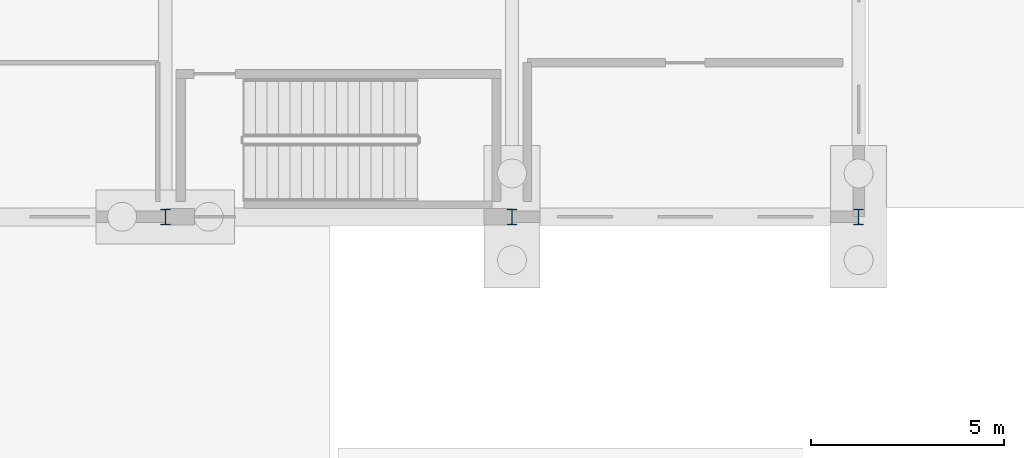
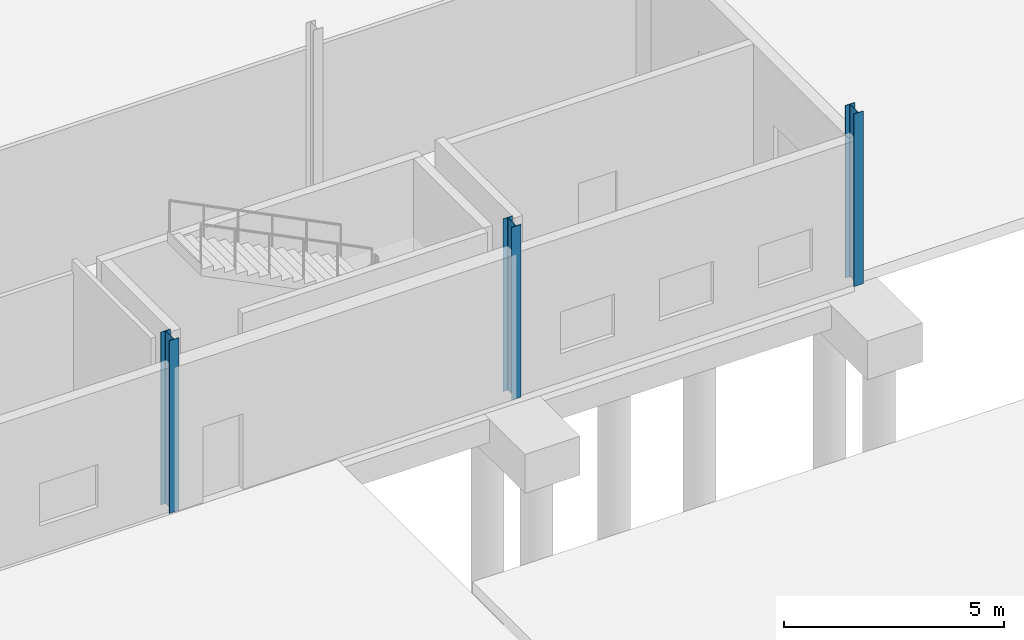
# One storey, part 35 of 112: 3 columns.
"""IFC4 building model written with IfcOpenShell, lengths in metres."""

import ifcopenshell
import ifcopenshell.guid

model = None  # the IFC model being written
_history = None  # IfcOwnerHistory: only IFC2X3 demands one
_inside = {}  # id of a spatial element -> (the spatial element, [elements in it])
_under = {}  # id of a project, library or spatial element -> (it, [spatial elements below it])
_declared = {}  # id of a project -> (the project, [libraries it declares])
_typed = {}  # id of a type object -> (the type object, [elements of that type])
_made_of = {}  # id of a material, layer set ... -> (it, [elements and type objects made of it])


def new_model(schema):
    """Start an empty IFC model of exactly this schema.

    Asked for "IFC4X3", IfcOpenShell would pick the latest addendum, in which some entities
    have other attributes; the version numbers below select the first issue.
    IFC2X3 requires an IfcOwnerHistory on every rooted entity: one is made here for all.
    """
    global model, _history
    if schema == "IFC4X3":
        model = ifcopenshell.file(schema_version=(4, 3, 0, 0))
    else:
        model = ifcopenshell.file(schema=schema)
    _inside.clear()
    _under.clear()
    _declared.clear()
    _typed.clear()
    _made_of.clear()
    _history = None
    if model.schema == "IFC2X3":
        org = make("IfcOrganization", Name="unknown")
        user = make(
            "IfcPersonAndOrganization",
            ThePerson=make("IfcPerson", FamilyName="unknown"),
            TheOrganization=org,
        )
        app = make(
            "IfcApplication",
            ApplicationDeveloper=org,
            Version="unknown",
            ApplicationFullName="unknown",
            ApplicationIdentifier="unknown",
        )
        _history = make(
            "IfcOwnerHistory",
            OwningUser=user,
            OwningApplication=app,
            ChangeAction="ADDED",
            CreationDate=0,
        )
    return model


def make(cls, **values):
    """One entity of the class cls with the attributes given. An attribute that is None is left unset."""
    return model.create_entity(
        cls, **{name: value for name, value in values.items() if value is not None}
    )


def rooted(cls, **values):
    """An entity with a GlobalId (a new one), such as an element, a storey or a relation."""
    return make(cls, GlobalId=ifcopenshell.guid.new(), OwnerHistory=_history, **values)


def si_unit(unit_type, name, prefix=None):
    """IfcSIUnit, for example si_unit("LENGTHUNIT", "METRE", prefix="MILLI")."""
    return make("IfcSIUnit", UnitType=unit_type, Prefix=prefix, Name=name)


def assignment(units):
    """IfcUnitAssignment: the units of a project."""
    return None if units is None else make("IfcUnitAssignment", Units=units)


def point(xyz):
    """IfcCartesianPoint."""
    return None if xyz is None else make("IfcCartesianPoint", Coordinates=xyz)


def direction(xyz):
    """IfcDirection."""
    return None if xyz is None else make("IfcDirection", DirectionRatios=xyz)


def frame(location, z_axis=None, x_axis=None):
    """IfcAxis2Placement3D, a coordinate frame: its origin and axes. An axis left out is left unset."""
    return make(
        "IfcAxis2Placement3D",
        Location=point(location),
        Axis=direction(z_axis),
        RefDirection=direction(x_axis),
    )


def frame_2d(location, x_axis=None):
    """IfcAxis2Placement2D, a coordinate frame in the plane: its origin and x axis."""
    return make(
        "IfcAxis2Placement2D", Location=point(location), RefDirection=direction(x_axis)
    )


def origin():
    """The frame at (0, 0, 0) with its axes left unset."""
    return frame((0.0, 0.0, 0.0))


def origin_2d():
    """The frame at (0, 0) in the plane with its x axis left unset."""
    return frame_2d((0.0, 0.0))


def place(relative_to, where):
    """IfcLocalPlacement: puts the frame where relative to a parent placement (None: the world)."""
    return make(
        "IfcLocalPlacement", PlacementRelTo=relative_to, RelativePlacement=where
    )


def context(
    kind, dimensions, precision=None, world=None, true_north=None, identifier=None
):
    """IfcGeometricRepresentationContext, for example the 3D "Model" context."""
    return make(
        "IfcGeometricRepresentationContext",
        ContextIdentifier=identifier,
        ContextType=kind,
        CoordinateSpaceDimension=dimensions,
        Precision=precision,
        WorldCoordinateSystem=world,
        TrueNorth=true_north,
    )


def subcontext(parent, identifier, kind, view, scale=None):
    """IfcGeometricRepresentationSubContext, for example "Body" below "Model"."""
    return make(
        "IfcGeometricRepresentationSubContext",
        ContextIdentifier=identifier,
        ContextType=kind,
        ParentContext=parent,
        TargetScale=scale,
        TargetView=view,
    )


def project(units=None, contexts=None):
    """IfcProject with its units and contexts."""
    return rooted(
        "IfcProject",
        Name="project",
        RepresentationContexts=contexts,
        UnitsInContext=assignment(units),
    )


def spatial(cls, under=None, at=None, **own):
    """A site, building, storey or space (cls), placed at a placement, below another one or the project."""
    s = rooted(cls, ObjectPlacement=at, **own)
    if under is not None:
        _under.setdefault(under.id(), (under, []))[1].append(s)
    return s


def profile(cls, at=None, kind="AREA", **sizes):
    """A parametric profile (cls). Its sizes go by their IFC names, for example OverallWidth=200.0."""
    return make(cls, ProfileType=kind, Position=at, **sizes)


def i_section(**sizes):
    """IfcIShapeProfileDef."""
    return profile("IfcIShapeProfileDef", **sizes)


def extrude(swept, where, along, depth):
    """IfcExtrudedAreaSolid: the profile swept, set in the frame where, extruded along a direction by depth."""
    return make(
        "IfcExtrudedAreaSolid",
        SweptArea=swept,
        Position=where,
        ExtrudedDirection=direction(along),
        Depth=depth,
    )


def shape(context_of_items, identifier, shape_type, items):
    """IfcShapeRepresentation: the items that make up one representation, for example the "Body"."""
    return make(
        "IfcShapeRepresentation",
        ContextOfItems=context_of_items,
        RepresentationIdentifier=identifier,
        RepresentationType=shape_type,
        Items=items,
    )


def material(Name=None, Category=None):
    """IfcMaterial."""
    return make("IfcMaterial", Name=Name, Category=Category)


def material_profile(
    of_material, cross_section, Name=None, Category=None, Priority=None
):
    """IfcMaterialProfile: a cross section and its material."""
    return make(
        "IfcMaterialProfile",
        Name=Name,
        Material=of_material,
        Profile=cross_section,
        Priority=Priority,
        Category=Category,
    )


def profile_set(profiles, Name=None, composite=None):
    """IfcMaterialProfileSet."""
    return make(
        "IfcMaterialProfileSet",
        Name=Name,
        MaterialProfiles=profiles,
        CompositeProfile=composite,
    )


def made_of(thing, what):
    """Note that an element or type object is made of a material, layer set ...; save() writes the relation."""
    if what is not None:
        _made_of.setdefault(what.id(), (what, []))[1].append(thing)
    return thing


def type_object(cls, material=None, **own):
    """A type object (cls), such as IfcWallType, which elements share."""
    return made_of(rooted(cls, **own), material)


def element(
    cls,
    number,
    at=None,
    inside=None,
    cuts=None,
    type_object=None,
    material=None,
    context=None,
    identifier="Body",
    shape_type=None,
    held_by="IfcProductDefinitionShape",
    body=None,
    shapes=None,
    **own,
):
    """One element of the class cls, such as IfcWall. Its Tag is "e" and its number.

    at: its placement. inside: the storey or other place that contains it. cuts: it is an
    opening in that element (IfcRelVoidsElement). A single representation is given by context,
    identifier, shape_type and body (its items); several are given by shapes. held_by: the class
    of the entity that holds the representations. save() writes the other relations.
    """
    e = rooted(cls, Tag="e%d" % number, ObjectPlacement=at, **own)
    if body is not None:
        shapes = [shape(context, identifier, shape_type, body)]
    if shapes is not None:
        e.Representation = make(held_by, Representations=shapes)
    if inside is not None:
        _inside.setdefault(inside.id(), (inside, []))[1].append(e)
    if cuts is not None:
        rooted(
            "IfcRelVoidsElement", RelatingBuildingElement=cuts, RelatedOpeningElement=e
        )
    if type_object is not None:
        _typed.setdefault(type_object.id(), (type_object, []))[1].append(e)
    return made_of(e, material)


def aggregate(whole, parts):
    """IfcRelAggregates: a whole, such as a stair, and the parts it consists of."""
    return rooted("IfcRelAggregates", RelatingObject=whole, RelatedObjects=parts)


def save(model, path):
    """Write the relations noted so far, then the file.

    IfcRelAggregates (storeys below a building ...), IfcRelContainedInSpatialStructure (elements
    in a storey), IfcRelDefinesByType, IfcRelAssociatesMaterial and IfcRelDeclares: one each for
    every whole, place, type object, material and project.
    """
    for whole, parts in _under.values():
        aggregate(whole, parts)
    for where, things in _inside.values():
        rooted(
            "IfcRelContainedInSpatialStructure",
            RelatedElements=things,
            RelatingStructure=where,
        )
    for kind, things in _typed.values():
        rooted("IfcRelDefinesByType", RelatedObjects=things, RelatingType=kind)
    for what, things in _made_of.values():
        rooted("IfcRelAssociatesMaterial", RelatedObjects=things, RelatingMaterial=what)
    for by, libraries in _declared.values():
        rooted("IfcRelDeclares", RelatingContext=by, RelatedDefinitions=libraries)
    model.write(path)


model = new_model("IFC4")

# Units and contexts
model_context = context("Model", 3, precision=1e-05, world=origin(), true_north=direction((0.0, 1.0)))
body_context = subcontext(model_context, "Body", "Model", "MODEL_VIEW")
ifc_project = project(units=[si_unit("LENGTHUNIT", "METRE"), si_unit("AREAUNIT", "SQUARE_METRE"), si_unit("VOLUMEUNIT", "CUBIC_METRE"), si_unit("PLANEANGLEUNIT", "RADIAN"), si_unit("MASSUNIT", "GRAM", prefix="KILO")], contexts=[model_context])

# Site, building, storey
site_placement = place(None, origin())
site = spatial("IfcSite", under=ifc_project, at=site_placement, CompositionType="ELEMENT")
building_placement = place(site_placement, origin())
building = spatial("IfcBuilding", under=site, at=building_placement, Name="Tharagai Park Tramway Depot", CompositionType="ELEMENT")
storey_placement = place(building_placement, origin())
storey = spatial("IfcBuildingStorey", under=building, at=storey_placement, Name="L00", CompositionType="ELEMENT", Elevation=0.0)

# Columns
ifc_material = material(Name="Steel E350", Category="steel")
ifc_material_profile = material_profile(ifc_material, i_section(OverallWidth=0.25, OverallDepth=0.39990234375, WebThickness=0.010498046875, FlangeThickness=0.0126953125, FilletRadius=0.013916015625, at=origin_2d()), Name="ISHB 400")
ifc_profile_set = profile_set([ifc_material_profile], Name="Steel E350")
column_type = type_object("IfcColumnType", Name="CL-06", PredefinedType="COLUMN", material=ifc_profile_set)
for number, where, z_axis, x_axis, name in (
    (1, (126.0, 90.0, 0.0), (0.0, 0.0, 1.0), (1.0, 0.0, 0.0), "L00 Structural Column CL-06 (126,90)"),
    (2, (135.0, 90.0, 0.0), (0.0, 0.0, 1.0), (1.0, 0.0, 0.0), "L00 Structural Column CL-06 (135,90)"),
    (3, (144.0, 90.0, 0.0), (0.0, 0.0, 1.0), (1.0, 0.0, 0.0), "L00 Structural Column CL-06 (144,90)"),
):
    element("IfcColumn", number, at=place(storey_placement, frame(where, z_axis=z_axis, x_axis=x_axis)), inside=storey, type_object=column_type, Name=name, PredefinedType="COLUMN", context=body_context, shape_type="SweptSolid", body=[
        extrude(i_section(OverallWidth=0.25, OverallDepth=0.39990234375, WebThickness=0.010498046875, FlangeThickness=0.0126953125, FilletRadius=0.013916015625, at=origin_2d()), origin(), (0.0, 0.0, 1.0), 4.800048828125),
    ])

save(model, "model.ifc")
